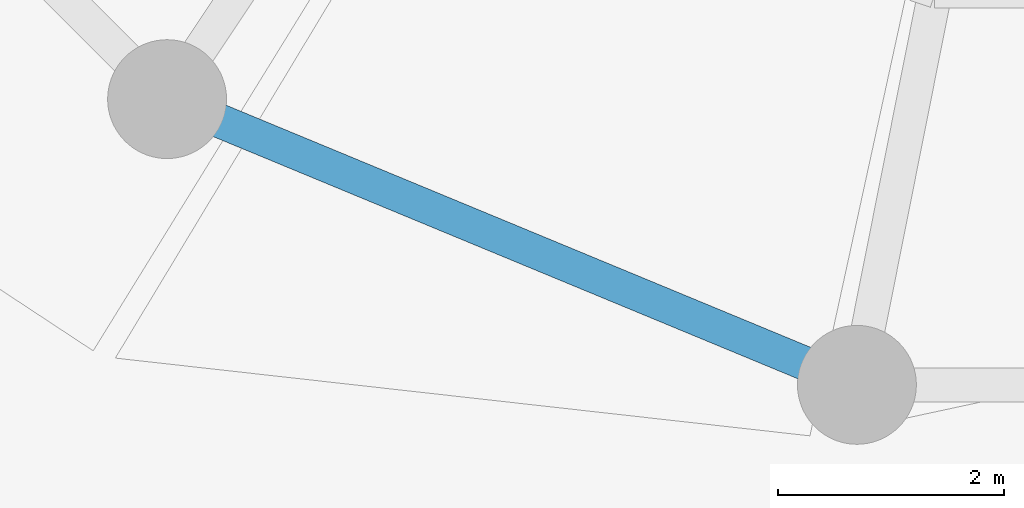
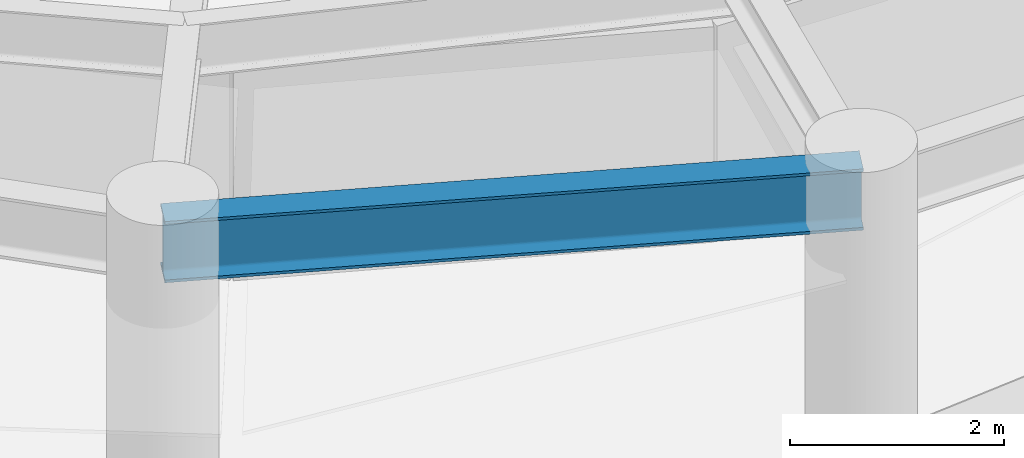
# One storey, part 3 of 12: 1 beam.
"""IFC4 building model written with IfcOpenShell, lengths in metres."""

import ifcopenshell
import ifcopenshell.guid

model = None  # the IFC model being written
_history = None  # IfcOwnerHistory: only IFC2X3 demands one
_inside = {}  # id of a spatial element -> (the spatial element, [elements in it])
_under = {}  # id of a project, library or spatial element -> (it, [spatial elements below it])
_declared = {}  # id of a project -> (the project, [libraries it declares])
_typed = {}  # id of a type object -> (the type object, [elements of that type])
_made_of = {}  # id of a material, layer set ... -> (it, [elements and type objects made of it])


def new_model(schema):
    """Start an empty IFC model of exactly this schema.

    Asked for "IFC4X3", IfcOpenShell would pick the latest addendum, in which some entities
    have other attributes; the version numbers below select the first issue.
    IFC2X3 requires an IfcOwnerHistory on every rooted entity: one is made here for all.
    """
    global model, _history
    if schema == "IFC4X3":
        model = ifcopenshell.file(schema_version=(4, 3, 0, 0))
    else:
        model = ifcopenshell.file(schema=schema)
    _inside.clear()
    _under.clear()
    _declared.clear()
    _typed.clear()
    _made_of.clear()
    _history = None
    if model.schema == "IFC2X3":
        org = make("IfcOrganization", Name="unknown")
        user = make(
            "IfcPersonAndOrganization",
            ThePerson=make("IfcPerson", FamilyName="unknown"),
            TheOrganization=org,
        )
        app = make(
            "IfcApplication",
            ApplicationDeveloper=org,
            Version="unknown",
            ApplicationFullName="unknown",
            ApplicationIdentifier="unknown",
        )
        _history = make(
            "IfcOwnerHistory",
            OwningUser=user,
            OwningApplication=app,
            ChangeAction="ADDED",
            CreationDate=0,
        )
    return model


def make(cls, **values):
    """One entity of the class cls with the attributes given. An attribute that is None is left unset."""
    return model.create_entity(
        cls, **{name: value for name, value in values.items() if value is not None}
    )


def rooted(cls, **values):
    """An entity with a GlobalId (a new one), such as an element, a storey or a relation."""
    return make(cls, GlobalId=ifcopenshell.guid.new(), OwnerHistory=_history, **values)


def si_unit(unit_type, name, prefix=None):
    """IfcSIUnit, for example si_unit("LENGTHUNIT", "METRE", prefix="MILLI")."""
    return make("IfcSIUnit", UnitType=unit_type, Prefix=prefix, Name=name)


def assignment(units):
    """IfcUnitAssignment: the units of a project."""
    return None if units is None else make("IfcUnitAssignment", Units=units)


def point(xyz):
    """IfcCartesianPoint."""
    return None if xyz is None else make("IfcCartesianPoint", Coordinates=xyz)


def direction(xyz):
    """IfcDirection."""
    return None if xyz is None else make("IfcDirection", DirectionRatios=xyz)


def frame(location, z_axis=None, x_axis=None):
    """IfcAxis2Placement3D, a coordinate frame: its origin and axes. An axis left out is left unset."""
    return make(
        "IfcAxis2Placement3D",
        Location=point(location),
        Axis=direction(z_axis),
        RefDirection=direction(x_axis),
    )


def frame_2d(location, x_axis=None):
    """IfcAxis2Placement2D, a coordinate frame in the plane: its origin and x axis."""
    return make(
        "IfcAxis2Placement2D", Location=point(location), RefDirection=direction(x_axis)
    )


def origin():
    """The frame at (0, 0, 0) with its axes left unset."""
    return frame((0.0, 0.0, 0.0))


def origin_2d():
    """The frame at (0, 0) in the plane with its x axis left unset."""
    return frame_2d((0.0, 0.0))


def place(relative_to, where):
    """IfcLocalPlacement: puts the frame where relative to a parent placement (None: the world)."""
    return make(
        "IfcLocalPlacement", PlacementRelTo=relative_to, RelativePlacement=where
    )


def context(
    kind, dimensions, precision=None, world=None, true_north=None, identifier=None
):
    """IfcGeometricRepresentationContext, for example the 3D "Model" context."""
    return make(
        "IfcGeometricRepresentationContext",
        ContextIdentifier=identifier,
        ContextType=kind,
        CoordinateSpaceDimension=dimensions,
        Precision=precision,
        WorldCoordinateSystem=world,
        TrueNorth=true_north,
    )


def subcontext(parent, identifier, kind, view, scale=None):
    """IfcGeometricRepresentationSubContext, for example "Body" below "Model"."""
    return make(
        "IfcGeometricRepresentationSubContext",
        ContextIdentifier=identifier,
        ContextType=kind,
        ParentContext=parent,
        TargetScale=scale,
        TargetView=view,
    )


def project(units=None, contexts=None):
    """IfcProject with its units and contexts."""
    return rooted(
        "IfcProject",
        Name="project",
        RepresentationContexts=contexts,
        UnitsInContext=assignment(units),
    )


def spatial(cls, under=None, at=None, **own):
    """A site, building, storey or space (cls), placed at a placement, below another one or the project."""
    s = rooted(cls, ObjectPlacement=at, **own)
    if under is not None:
        _under.setdefault(under.id(), (under, []))[1].append(s)
    return s


def profile(cls, at=None, kind="AREA", **sizes):
    """A parametric profile (cls). Its sizes go by their IFC names, for example OverallWidth=200.0."""
    return make(cls, ProfileType=kind, Position=at, **sizes)


def i_section(**sizes):
    """IfcIShapeProfileDef."""
    return profile("IfcIShapeProfileDef", **sizes)


def extrude(swept, where, along, depth):
    """IfcExtrudedAreaSolid: the profile swept, set in the frame where, extruded along a direction by depth."""
    return make(
        "IfcExtrudedAreaSolid",
        SweptArea=swept,
        Position=where,
        ExtrudedDirection=direction(along),
        Depth=depth,
    )


def shape(context_of_items, identifier, shape_type, items):
    """IfcShapeRepresentation: the items that make up one representation, for example the "Body"."""
    return make(
        "IfcShapeRepresentation",
        ContextOfItems=context_of_items,
        RepresentationIdentifier=identifier,
        RepresentationType=shape_type,
        Items=items,
    )


def material(Name=None, Category=None):
    """IfcMaterial."""
    return make("IfcMaterial", Name=Name, Category=Category)


def material_profile(
    of_material, cross_section, Name=None, Category=None, Priority=None
):
    """IfcMaterialProfile: a cross section and its material."""
    return make(
        "IfcMaterialProfile",
        Name=Name,
        Material=of_material,
        Profile=cross_section,
        Priority=Priority,
        Category=Category,
    )


def profile_set(profiles, Name=None, composite=None):
    """IfcMaterialProfileSet."""
    return make(
        "IfcMaterialProfileSet",
        Name=Name,
        MaterialProfiles=profiles,
        CompositeProfile=composite,
    )


def made_of(thing, what):
    """Note that an element or type object is made of a material, layer set ...; save() writes the relation."""
    if what is not None:
        _made_of.setdefault(what.id(), (what, []))[1].append(thing)
    return thing


def type_object(cls, material=None, **own):
    """A type object (cls), such as IfcWallType, which elements share."""
    return made_of(rooted(cls, **own), material)


def element(
    cls,
    number,
    at=None,
    inside=None,
    cuts=None,
    type_object=None,
    material=None,
    context=None,
    identifier="Body",
    shape_type=None,
    held_by="IfcProductDefinitionShape",
    body=None,
    shapes=None,
    **own,
):
    """One element of the class cls, such as IfcWall. Its Tag is "e" and its number.

    at: its placement. inside: the storey or other place that contains it. cuts: it is an
    opening in that element (IfcRelVoidsElement). A single representation is given by context,
    identifier, shape_type and body (its items); several are given by shapes. held_by: the class
    of the entity that holds the representations. save() writes the other relations.
    """
    e = rooted(cls, Tag="e%d" % number, ObjectPlacement=at, **own)
    if body is not None:
        shapes = [shape(context, identifier, shape_type, body)]
    if shapes is not None:
        e.Representation = make(held_by, Representations=shapes)
    if inside is not None:
        _inside.setdefault(inside.id(), (inside, []))[1].append(e)
    if cuts is not None:
        rooted(
            "IfcRelVoidsElement", RelatingBuildingElement=cuts, RelatedOpeningElement=e
        )
    if type_object is not None:
        _typed.setdefault(type_object.id(), (type_object, []))[1].append(e)
    return made_of(e, material)


def aggregate(whole, parts):
    """IfcRelAggregates: a whole, such as a stair, and the parts it consists of."""
    return rooted("IfcRelAggregates", RelatingObject=whole, RelatedObjects=parts)


def save(model, path):
    """Write the relations noted so far, then the file.

    IfcRelAggregates (storeys below a building ...), IfcRelContainedInSpatialStructure (elements
    in a storey), IfcRelDefinesByType, IfcRelAssociatesMaterial and IfcRelDeclares: one each for
    every whole, place, type object, material and project.
    """
    for whole, parts in _under.values():
        aggregate(whole, parts)
    for where, things in _inside.values():
        rooted(
            "IfcRelContainedInSpatialStructure",
            RelatedElements=things,
            RelatingStructure=where,
        )
    for kind, things in _typed.values():
        rooted("IfcRelDefinesByType", RelatedObjects=things, RelatingType=kind)
    for what, things in _made_of.values():
        rooted("IfcRelAssociatesMaterial", RelatedObjects=things, RelatingMaterial=what)
    for by, libraries in _declared.values():
        rooted("IfcRelDeclares", RelatingContext=by, RelatedDefinitions=libraries)
    model.write(path)


model = new_model("IFC4")

# Units and contexts
model_context = context("Model", 3, precision=1e-05, world=origin(), true_north=direction((0.0, 1.0)))
body_context = subcontext(model_context, "Body", "Model", "MODEL_VIEW")
ifc_project = project(units=[si_unit("LENGTHUNIT", "METRE"), si_unit("AREAUNIT", "SQUARE_METRE"), si_unit("VOLUMEUNIT", "CUBIC_METRE"), si_unit("PLANEANGLEUNIT", "RADIAN"), si_unit("MASSUNIT", "GRAM", prefix="KILO"), si_unit("THERMODYNAMICTEMPERATUREUNIT", "KELVIN"), si_unit("POWERUNIT", "WATT")], contexts=[model_context])

# Site, building, storey
site_placement = place(None, origin())
site = spatial("IfcSite", under=ifc_project, at=site_placement, CompositionType="ELEMENT")
building_placement = place(site_placement, origin())
building = spatial("IfcBuilding", under=site, at=building_placement, Name="Ocrelia Relay Tower", CompositionType="ELEMENT")
storey_placement = place(building_placement, frame((0.0, 0.0, 191.60009765625)))
storey = spatial("IfcBuildingStorey", under=building, at=storey_placement, Name="L46", CompositionType="ELEMENT", Elevation=191.60009765625)

# Beam
ifc_material = material(Name="Steel S355", Category="steel")
ifc_material_profile = material_profile(ifc_material, i_section(OverallWidth=0.300048828125, OverallDepth=0.699951171875, WebThickness=0.01708984375, FlangeThickness=0.031982421875, FilletRadius=0.027099609375, at=origin_2d()), Name="HEB 700")
ifc_profile_set = profile_set([ifc_material_profile], Name="Steel S355")
beam_type = type_object("IfcBeamType", Name="BM-HEB700", PredefinedType="BEAM", material=ifc_profile_set)
beam_placement = place(storey_placement, frame((24.61083984375, 11.9482421875, 3.02978515625), z_axis=(0.923877844151, -0.382687508402, 0.0), x_axis=(0.382687508402, 0.923877844151, 0.0)))
element("IfcBeam", 1, at=beam_placement, inside=storey, type_object=beam_type, Name="L46 Perimeter Spandrel Beam S11", PredefinedType="BEAM", context=body_context, shape_type="SweptSolid", body=[
    extrude(i_section(OverallWidth=0.300048828125, OverallDepth=0.699951171875, WebThickness=0.01708984375, FlangeThickness=0.031982421875, FilletRadius=0.027099609375, at=origin_2d()), origin(), (0.0, 0.0, 1.0), 6.593994140625),
])

save(model, "model.ifc")
